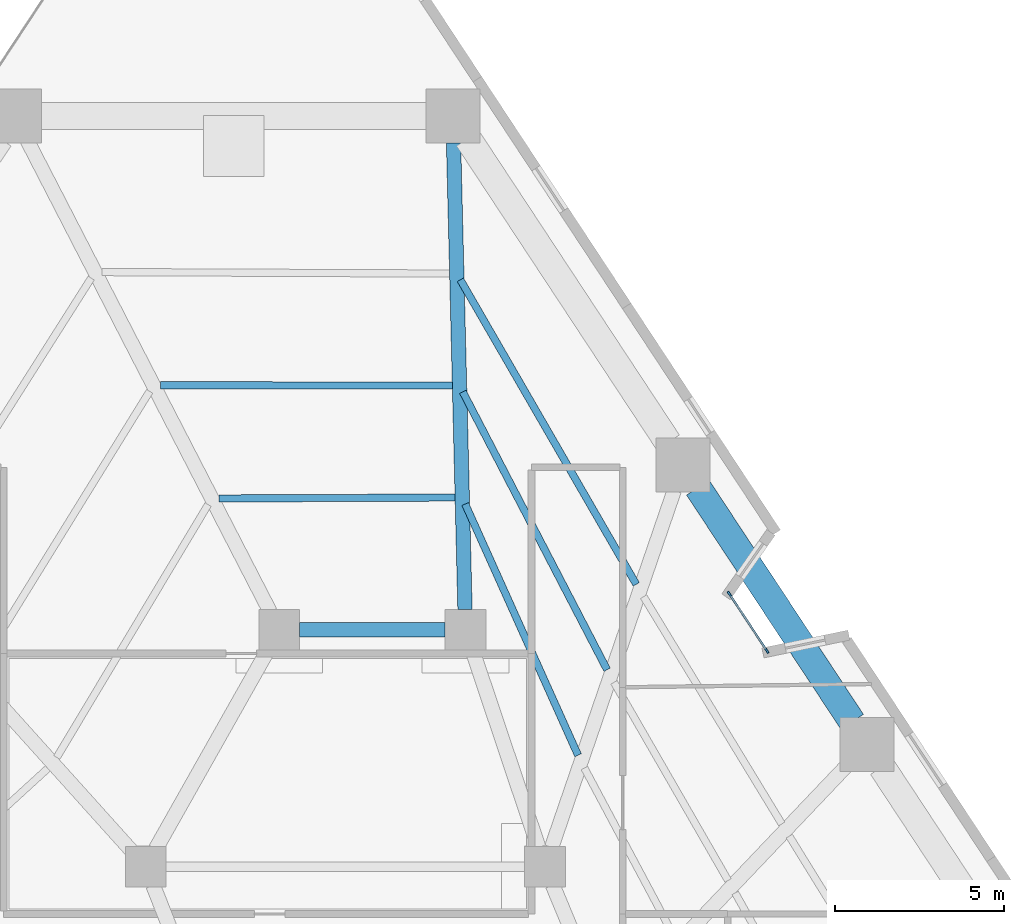
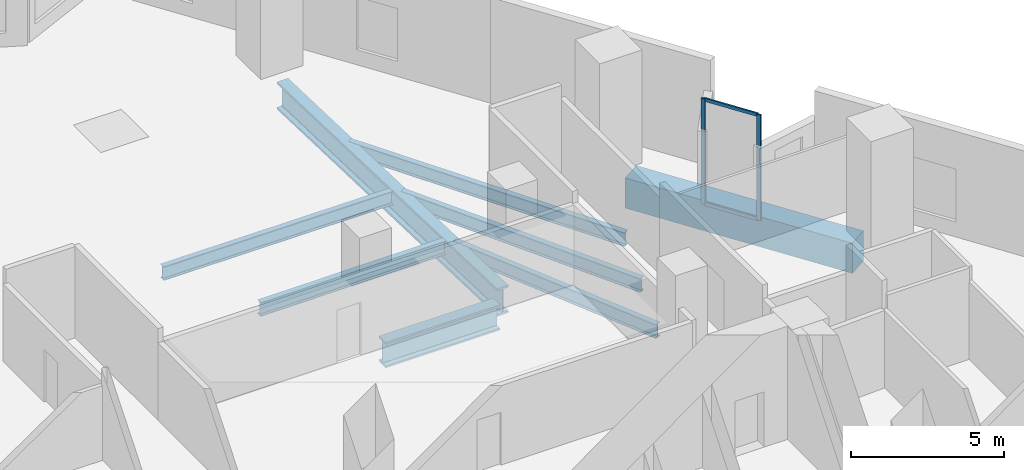
# One storey, part 4 of 12: 8 beams, 4 members, 1 element without a shape of its own.
"""IFC4 building model written with IfcOpenShell, lengths in metres."""

from ifc_helpers import new_model, si_unit, direction, frame, origin, origin_2d, place, context, subcontext, project, spatial, rectangle, i_section, extrude, material, layer, layer_set, material_profile, profile_set, type_object, element, aggregate, save


model = new_model("IFC4")

# Units and contexts
model_context = context("Model", 3, precision=1e-05, world=origin(), true_north=direction((0.0, 1.0)))
body_context = subcontext(model_context, "Body", "Model", "MODEL_VIEW")
ifc_project = project(units=[si_unit("LENGTHUNIT", "METRE"), si_unit("AREAUNIT", "SQUARE_METRE"), si_unit("VOLUMEUNIT", "CUBIC_METRE"), si_unit("PLANEANGLEUNIT", "RADIAN"), si_unit("MASSUNIT", "GRAM", prefix="KILO")], contexts=[model_context])

# Site, building, storey
site_placement = place(None, origin())
site = spatial("IfcSite", under=ifc_project, at=site_placement, CompositionType="ELEMENT")
building_placement = place(site_placement, origin())
building = spatial("IfcBuilding", under=site, at=building_placement, Name="Almagre Mirador Tower", CompositionType="ELEMENT")
storey_placement = place(building_placement, frame((0.0, 0.0, 12.89990234375)))
storey = spatial("IfcBuildingStorey", under=building, at=storey_placement, Name="L02", CompositionType="ELEMENT", Elevation=12.89990234375)

# Beams
ifc_material_1 = material(Name="Steel ASTM A992 Grade 50", Category="steel")
ifc_material_profile_1 = material_profile(ifc_material_1, i_section(OverallWidth=0.214111328125, OverallDepth=0.549072265625, WebThickness=0.0146484375, FlangeThickness=0.023681640625, FilletRadius=0.01806640625, at=origin_2d()), Name="W21X93")
ifc_profile_set_1 = profile_set([ifc_material_profile_1], Name="Steel ASTM A992 Grade 50")
beam_type_1 = type_object("IfcBeamType", Name="BM-JST-W21X93", PredefinedType="JOIST", material=ifc_profile_set_1)
beam_1_placement = place(storey_placement, frame((47.8974609375, 27.542724609375, -0.574462890625), z_axis=(-0.50017037833, 0.865927013461, 0.0), x_axis=(-0.865927013461, -0.50017037833, 0.0)))
element("IfcBeam", 1, at=beam_1_placement, inside=storey, type_object=beam_type_1, Name="L02 secondary floor joist PC07-PC08.1", PredefinedType="JOIST", context=body_context, shape_type="SweptSolid", body=[
    extrude(i_section(OverallWidth=0.214111328125, OverallDepth=0.549072265625, WebThickness=0.0146484375, FlangeThickness=0.023681640625, FilletRadius=0.01806640625, at=origin_2d()), origin(), (0.0, 0.0, 1.0), 10.394775390625),
])
beam_2_placement = place(storey_placement, frame((47.036376953125, 25.0166015625, -0.574462890625), z_axis=(-0.460878402306, 0.887463294051, 0.0), x_axis=(-0.887463294051, -0.460878402306, 0.0)))
element("IfcBeam", 2, at=beam_2_placement, inside=storey, type_object=beam_type_1, Name="L02 secondary floor joist PC07-PC08.2", PredefinedType="JOIST", context=body_context, shape_type="SweptSolid", body=[
    extrude(i_section(OverallWidth=0.214111328125, OverallDepth=0.549072265625, WebThickness=0.0146484375, FlangeThickness=0.023681640625, FilletRadius=0.01806640625, at=origin_2d()), origin(), (0.0, 0.0, 1.0), 9.2548828125),
])
beam_3_placement = place(storey_placement, frame((46.177490234375, 22.4912109375, -0.574462890625), z_axis=(-0.409878217653, 0.912140256043, 0.0), x_axis=(-0.912140256043, -0.409878217653, 0.0)))
element("IfcBeam", 3, at=beam_3_placement, inside=storey, type_object=beam_type_1, Name="L02 secondary floor joist PC07-PC08.3", PredefinedType="JOIST", context=body_context, shape_type="SweptSolid", body=[
    extrude(i_section(OverallWidth=0.214111328125, OverallDepth=0.549072265625, WebThickness=0.0146484375, FlangeThickness=0.023681640625, FilletRadius=0.01806640625, at=origin_2d()), origin(), (0.0, 0.0, 1.0), 8.139404296875),
])
beam_4_placement = place(storey_placement, frame((42.461181640625, 33.41845703125, -0.574462890625), z_axis=(-0.999999614896, 0.000877614814, 0.0), x_axis=(-0.000877614814, -0.999999614896, 0.0)))
element("IfcBeam", 4, at=beam_4_placement, inside=storey, type_object=beam_type_1, Name="L02 secondary floor joist PC08-PC09.2", PredefinedType="JOIST", context=body_context, shape_type="SweptSolid", body=[
    extrude(i_section(OverallWidth=0.214111328125, OverallDepth=0.549072265625, WebThickness=0.0146484375, FlangeThickness=0.023681640625, FilletRadius=0.01806640625, at=origin_2d()), origin(), (0.0, 0.0, 1.0), 8.623779296875),
])
beam_5_placement = place(storey_placement, frame((42.542236328125, 30.108154296875, -0.574462890625), z_axis=(-0.999992189236, -0.003952400048, 0.0), x_axis=(0.003952400048, -0.999992189236, 0.0)))
element("IfcBeam", 5, at=beam_5_placement, inside=storey, type_object=beam_type_1, Name="L02 secondary floor joist PC08-PC09.3", PredefinedType="JOIST", context=body_context, shape_type="SweptSolid", body=[
    extrude(i_section(OverallWidth=0.214111328125, OverallDepth=0.549072265625, WebThickness=0.0146484375, FlangeThickness=0.023681640625, FilletRadius=0.01806640625, at=origin_2d()), origin(), (0.0, 0.0, 1.0), 6.97998046875),
])
ifc_material_2 = material(Name="Precast concrete C50/60", Category="concrete")
ifc_material_profile_2 = material_profile(ifc_material_2, rectangle(XDim=0.800048828125, YDim=1.199951171875, at=origin_2d()), Name="RC800X1200")
ifc_profile_set_2 = profile_set([ifc_material_profile_2], Name="Precast concrete C50/60")
beam_type_2 = type_object("IfcBeamType", Name="BM-SPN-RC800X1200", PredefinedType="SPANDREL", material=ifc_profile_set_2)
beam_6_placement = place(storey_placement, frame((54.27783203125, 23.47998046875, -0.89990234375), z_axis=(-0.55020506323, 0.835029573366, 0.0), x_axis=(-0.835029573366, -0.55020506323, 0.0)))
element("IfcBeam", 6, at=beam_6_placement, inside=storey, type_object=beam_type_2, Name="L02 perimeter spandrel beam PC06-PC07", PredefinedType="SPANDREL", context=body_context, shape_type="SweptSolid", body=[
    extrude(rectangle(XDim=0.800048828125, YDim=1.199951171875, at=origin_2d()), origin(), (0.0, 0.0, 1.0), 8.287109375),
])
ifc_material_3 = material(Name="Steel ASTM A992 Grade 50", Category="steel")
ifc_material_profile_3 = material_profile(ifc_material_3, i_section(OverallWidth=0.43701171875, OverallDepth=1.010986328125, WebThickness=0.041015625, FlangeThickness=0.073974609375, FilletRadius=0.028076171875, at=origin_2d()), Name="W36X529")
ifc_profile_set_3 = profile_set([ifc_material_profile_3], Name="Steel ASTM A992 Grade 50")
beam_type_3 = type_object("IfcBeamType", Name="BM-STL-W36X529", PredefinedType="BEAM", material=ifc_profile_set_3)
beam_7_placement = place(storey_placement, frame((37.949951171875, 26.199951171875, -0.805419921875), z_axis=(1.0, 0.0, 0.0), x_axis=(0.0, 1.0, 0.0)))
element("IfcBeam", 7, at=beam_7_placement, inside=storey, type_object=beam_type_3, Name="L02 core tie girder MC7-MC6", PredefinedType="BEAM", context=body_context, shape_type="SweptSolid", body=[
    extrude(i_section(OverallWidth=0.43701171875, OverallDepth=1.010986328125, WebThickness=0.041015625, FlangeThickness=0.073974609375, FilletRadius=0.028076171875, at=origin_2d()), origin(), (0.0, 0.0, 1.0), 4.300048828125),
])
ifc_material_4 = material(Name="Steel ASTM A913 Grade 65", Category="steel")
ifc_material_profile_4 = material_profile(ifc_material_4, i_section(OverallWidth=0.424072265625, OverallDepth=1.092041015625, WebThickness=0.04541015625, FlangeThickness=0.08203125, FilletRadius=0.030029296875, at=origin_2d()), Name="W40X593")
ifc_profile_set_4 = profile_set([ifc_material_profile_4], Name="Steel ASTM A913 Grade 65")
beam_type_4 = type_object("IfcBeamType", Name="BM-STL-W40X593", PredefinedType="BEAM", material=ifc_profile_set_4)
beam_8_placement = place(storey_placement, frame((42.49755859375, 40.588134765625, -0.845947265625), z_axis=(0.024480505786, -0.99970030751, 0.0), x_axis=(0.99970030751, 0.024480505786, 0.0)))
element("IfcBeam", 8, at=beam_8_placement, inside=storey, type_object=beam_type_4, Name="L02 radial floor girder PC08-MC6", PredefinedType="BEAM", context=body_context, shape_type="SweptSolid", body=[
    extrude(i_section(OverallWidth=0.424072265625, OverallDepth=1.092041015625, WebThickness=0.04541015625, FlangeThickness=0.08203125, FilletRadius=0.030029296875, at=origin_2d()), origin(), (0.0, 0.0, 1.0), 13.79248046875),
])

# Curtain wall, members
ifc_material_5 = material(Name="Black anodized aluminium", Category="aluminium")
ifc_layer = layer(ifc_material_5, 0.169921875)
ifc_layer_set = layer_set([ifc_layer], Name="Black anodized aluminium")
curtain_wall_type = type_object("IfcCurtainWallType", Name="CW-CRS-SYS", PredefinedType="NOTDEFINED", material=ifc_layer_set)
curtain_wall_placement = place(storey_placement, origin())
curtain_wall = element("IfcCurtainWall", 9, at=curtain_wall_placement, inside=storey, type_object=curtain_wall_type, Name="L02 vertical crease curtain wall 05", PredefinedType="NOTDEFINED")
ifc_material_6 = material(Name="Black anodized aluminium", Category="aluminium")
ifc_material_profile_5 = material_profile(ifc_material_6, rectangle(XDim=0.06005859375, YDim=0.14990234375, at=origin_2d()), Name="CWM60X150")
ifc_profile_set_5 = profile_set([ifc_material_profile_5], Name="Black anodized aluminium")
member_type_1 = type_object("IfcMemberType", Name="MBR-CWM60X150", PredefinedType="MULLION", material=ifc_profile_set_5)
member_1_placement = place(storey_placement, frame((50.646484375, 27.264892578125, 0.0), z_axis=(0.0, 0.0, 1.0), x_axis=(0.835127993072, 0.550055665535, 0.0)))
member_1 = element("IfcMember", 10, at=member_1_placement, type_object=member_type_1, Name="CW-4 mullion 1", PredefinedType="MULLION", context=body_context, shape_type="SweptSolid", body=[
    extrude(rectangle(XDim=0.06005859375, YDim=0.14990234375, at=origin_2d()), origin(), (0.0, 0.0, 1.0), 4.2001953125),
])
member_2_placement = place(storey_placement, frame((51.763427734375, 25.569091796875, 0.0), z_axis=(0.0, 0.0, 1.0), x_axis=(0.835127993072, 0.550055665535, 0.0)))
member_2 = element("IfcMember", 11, at=member_2_placement, type_object=member_type_1, Name="CW-4 mullion 2", PredefinedType="MULLION", context=body_context, shape_type="SweptSolid", body=[
    extrude(rectangle(XDim=0.06005859375, YDim=0.14990234375, at=origin_2d()), origin(), (0.0, 0.0, 1.0), 4.2001953125),
])
ifc_material_7 = material(Name="Black anodized aluminium", Category="aluminium")
ifc_material_profile_6 = material_profile(ifc_material_7, rectangle(XDim=0.06005859375, YDim=0.1298828125, at=origin_2d()), Name="CWT60X130")
ifc_profile_set_6 = profile_set([ifc_material_profile_6], Name="Black anodized aluminium")
member_type_2 = type_object("IfcMemberType", Name="MBR-CWT60X130", PredefinedType="USERDEFINED", material=ifc_profile_set_6)
member_3_placement = place(storey_placement, frame((50.6630859375, 27.239990234375, 0.030029296875), z_axis=(0.550003213914, -0.835162537884, 0.0), x_axis=(0.835162537884, 0.550003213914, 0.0)))
member_3 = element("IfcMember", 12, at=member_3_placement, type_object=member_type_2, Name="CW-4 transom 1.1", ObjectType="TRANSOM", PredefinedType="USERDEFINED", context=body_context, shape_type="SweptSolid", body=[
    extrude(rectangle(XDim=0.06005859375, YDim=0.1298828125, at=origin_2d()), origin(), (0.0, 0.0, 1.0), 1.970947265625),
])
member_4_placement = place(storey_placement, frame((50.6630859375, 27.239990234375, 4.170166015625), z_axis=(0.550003213914, -0.835162537884, 0.0), x_axis=(0.835162537884, 0.550003213914, 0.0)))
member_4 = element("IfcMember", 13, at=member_4_placement, type_object=member_type_2, Name="CW-4 transom 1.2", ObjectType="TRANSOM", PredefinedType="USERDEFINED", context=body_context, shape_type="SweptSolid", body=[
    extrude(rectangle(XDim=0.06005859375, YDim=0.1298828125, at=origin_2d()), origin(), (0.0, 0.0, 1.0), 1.970947265625),
])
aggregate(curtain_wall, [member_1, member_2, member_3, member_4])

save(model, "model.ifc")
